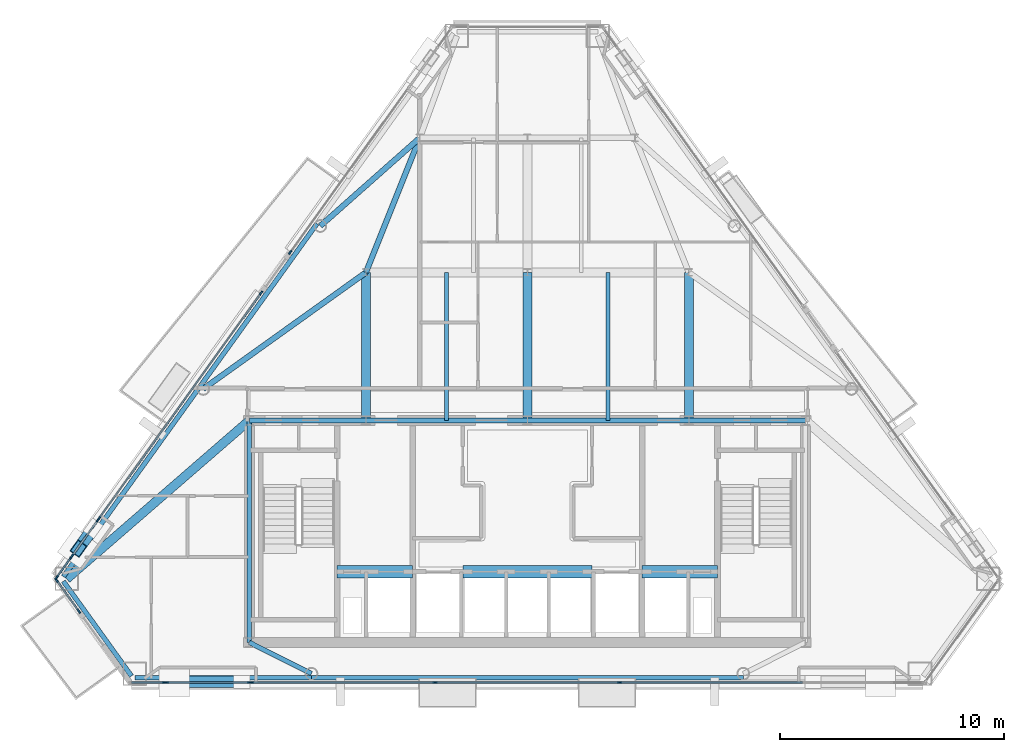
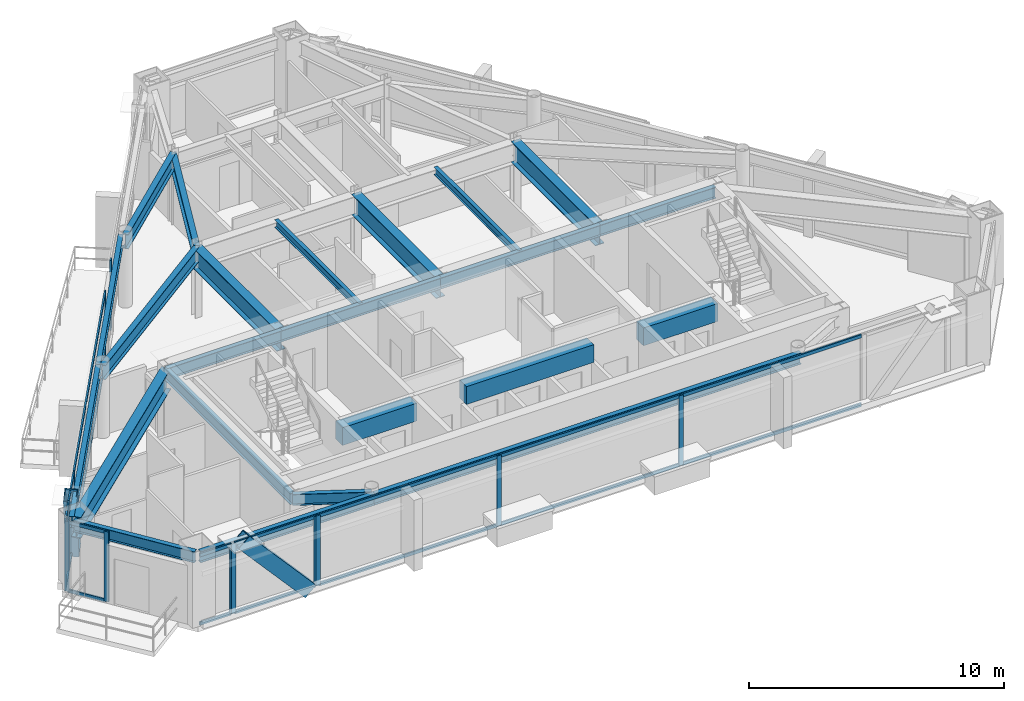
# One storey, part 3 of 11: 35 members, 23 beams, 8 elements without a shape of their own.
"""IFC4 building model written with IfcOpenShell, lengths in metres."""

import ifcopenshell
import ifcopenshell.guid

model = None  # the IFC model being written
_history = None  # IfcOwnerHistory: only IFC2X3 demands one
_inside = {}  # id of a spatial element -> (the spatial element, [elements in it])
_under = {}  # id of a project, library or spatial element -> (it, [spatial elements below it])
_declared = {}  # id of a project -> (the project, [libraries it declares])
_typed = {}  # id of a type object -> (the type object, [elements of that type])
_made_of = {}  # id of a material, layer set ... -> (it, [elements and type objects made of it])


def new_model(schema):
    """Start an empty IFC model of exactly this schema.

    Asked for "IFC4X3", IfcOpenShell would pick the latest addendum, in which some entities
    have other attributes; the version numbers below select the first issue.
    IFC2X3 requires an IfcOwnerHistory on every rooted entity: one is made here for all.
    """
    global model, _history
    if schema == "IFC4X3":
        model = ifcopenshell.file(schema_version=(4, 3, 0, 0))
    else:
        model = ifcopenshell.file(schema=schema)
    _inside.clear()
    _under.clear()
    _declared.clear()
    _typed.clear()
    _made_of.clear()
    _history = None
    if model.schema == "IFC2X3":
        org = make("IfcOrganization", Name="unknown")
        user = make(
            "IfcPersonAndOrganization",
            ThePerson=make("IfcPerson", FamilyName="unknown"),
            TheOrganization=org,
        )
        app = make(
            "IfcApplication",
            ApplicationDeveloper=org,
            Version="unknown",
            ApplicationFullName="unknown",
            ApplicationIdentifier="unknown",
        )
        _history = make(
            "IfcOwnerHistory",
            OwningUser=user,
            OwningApplication=app,
            ChangeAction="ADDED",
            CreationDate=0,
        )
    return model


def make(cls, **values):
    """One entity of the class cls with the attributes given. An attribute that is None is left unset."""
    return model.create_entity(
        cls, **{name: value for name, value in values.items() if value is not None}
    )


def rooted(cls, **values):
    """An entity with a GlobalId (a new one), such as an element, a storey or a relation."""
    return make(cls, GlobalId=ifcopenshell.guid.new(), OwnerHistory=_history, **values)


def si_unit(unit_type, name, prefix=None):
    """IfcSIUnit, for example si_unit("LENGTHUNIT", "METRE", prefix="MILLI")."""
    return make("IfcSIUnit", UnitType=unit_type, Prefix=prefix, Name=name)


def assignment(units):
    """IfcUnitAssignment: the units of a project."""
    return None if units is None else make("IfcUnitAssignment", Units=units)


def point(xyz):
    """IfcCartesianPoint."""
    return None if xyz is None else make("IfcCartesianPoint", Coordinates=xyz)


def direction(xyz):
    """IfcDirection."""
    return None if xyz is None else make("IfcDirection", DirectionRatios=xyz)


def frame(location, z_axis=None, x_axis=None):
    """IfcAxis2Placement3D, a coordinate frame: its origin and axes. An axis left out is left unset."""
    return make(
        "IfcAxis2Placement3D",
        Location=point(location),
        Axis=direction(z_axis),
        RefDirection=direction(x_axis),
    )


def frame_2d(location, x_axis=None):
    """IfcAxis2Placement2D, a coordinate frame in the plane: its origin and x axis."""
    return make(
        "IfcAxis2Placement2D", Location=point(location), RefDirection=direction(x_axis)
    )


def origin():
    """The frame at (0, 0, 0) with its axes left unset."""
    return frame((0.0, 0.0, 0.0))


def origin_2d():
    """The frame at (0, 0) in the plane with its x axis left unset."""
    return frame_2d((0.0, 0.0))


def place(relative_to, where):
    """IfcLocalPlacement: puts the frame where relative to a parent placement (None: the world)."""
    return make(
        "IfcLocalPlacement", PlacementRelTo=relative_to, RelativePlacement=where
    )


def context(
    kind, dimensions, precision=None, world=None, true_north=None, identifier=None
):
    """IfcGeometricRepresentationContext, for example the 3D "Model" context."""
    return make(
        "IfcGeometricRepresentationContext",
        ContextIdentifier=identifier,
        ContextType=kind,
        CoordinateSpaceDimension=dimensions,
        Precision=precision,
        WorldCoordinateSystem=world,
        TrueNorth=true_north,
    )


def subcontext(parent, identifier, kind, view, scale=None):
    """IfcGeometricRepresentationSubContext, for example "Body" below "Model"."""
    return make(
        "IfcGeometricRepresentationSubContext",
        ContextIdentifier=identifier,
        ContextType=kind,
        ParentContext=parent,
        TargetScale=scale,
        TargetView=view,
    )


def project(units=None, contexts=None):
    """IfcProject with its units and contexts."""
    return rooted(
        "IfcProject",
        Name="project",
        RepresentationContexts=contexts,
        UnitsInContext=assignment(units),
    )


def spatial(cls, under=None, at=None, **own):
    """A site, building, storey or space (cls), placed at a placement, below another one or the project."""
    s = rooted(cls, ObjectPlacement=at, **own)
    if under is not None:
        _under.setdefault(under.id(), (under, []))[1].append(s)
    return s


def profile(cls, at=None, kind="AREA", **sizes):
    """A parametric profile (cls). Its sizes go by their IFC names, for example OverallWidth=200.0."""
    return make(cls, ProfileType=kind, Position=at, **sizes)


def rectangle(**sizes):
    """IfcRectangleProfileDef."""
    return profile("IfcRectangleProfileDef", **sizes)


def hollow_rectangle(**sizes):
    """IfcRectangleHollowProfileDef."""
    return profile("IfcRectangleHollowProfileDef", **sizes)


def i_section(**sizes):
    """IfcIShapeProfileDef."""
    return profile("IfcIShapeProfileDef", **sizes)


def extrude(swept, where, along, depth):
    """IfcExtrudedAreaSolid: the profile swept, set in the frame where, extruded along a direction by depth."""
    return make(
        "IfcExtrudedAreaSolid",
        SweptArea=swept,
        Position=where,
        ExtrudedDirection=direction(along),
        Depth=depth,
    )


def shape(context_of_items, identifier, shape_type, items):
    """IfcShapeRepresentation: the items that make up one representation, for example the "Body"."""
    return make(
        "IfcShapeRepresentation",
        ContextOfItems=context_of_items,
        RepresentationIdentifier=identifier,
        RepresentationType=shape_type,
        Items=items,
    )


def material(Name=None, Category=None):
    """IfcMaterial."""
    return make("IfcMaterial", Name=Name, Category=Category)


def layer(
    of_material, thickness, ventilated=None, Name=None, Category=None, Priority=None
):
    """IfcMaterialLayer: one layer of a wall or slab, of a material (None: an air gap)."""
    return make(
        "IfcMaterialLayer",
        Material=of_material,
        LayerThickness=thickness,
        IsVentilated=ventilated,
        Name=Name,
        Category=Category,
        Priority=Priority,
    )


def layer_set(layers, Name=None):
    """IfcMaterialLayerSet."""
    return make("IfcMaterialLayerSet", MaterialLayers=layers, LayerSetName=Name)


def material_profile(
    of_material, cross_section, Name=None, Category=None, Priority=None
):
    """IfcMaterialProfile: a cross section and its material."""
    return make(
        "IfcMaterialProfile",
        Name=Name,
        Material=of_material,
        Profile=cross_section,
        Priority=Priority,
        Category=Category,
    )


def profile_set(profiles, Name=None, composite=None):
    """IfcMaterialProfileSet."""
    return make(
        "IfcMaterialProfileSet",
        Name=Name,
        MaterialProfiles=profiles,
        CompositeProfile=composite,
    )


def made_of(thing, what):
    """Note that an element or type object is made of a material, layer set ...; save() writes the relation."""
    if what is not None:
        _made_of.setdefault(what.id(), (what, []))[1].append(thing)
    return thing


def type_object(cls, material=None, **own):
    """A type object (cls), such as IfcWallType, which elements share."""
    return made_of(rooted(cls, **own), material)


def element(
    cls,
    number,
    at=None,
    inside=None,
    cuts=None,
    type_object=None,
    material=None,
    context=None,
    identifier="Body",
    shape_type=None,
    held_by="IfcProductDefinitionShape",
    body=None,
    shapes=None,
    **own,
):
    """One element of the class cls, such as IfcWall. Its Tag is "e" and its number.

    at: its placement. inside: the storey or other place that contains it. cuts: it is an
    opening in that element (IfcRelVoidsElement). A single representation is given by context,
    identifier, shape_type and body (its items); several are given by shapes. held_by: the class
    of the entity that holds the representations. save() writes the other relations.
    """
    e = rooted(cls, Tag="e%d" % number, ObjectPlacement=at, **own)
    if body is not None:
        shapes = [shape(context, identifier, shape_type, body)]
    if shapes is not None:
        e.Representation = make(held_by, Representations=shapes)
    if inside is not None:
        _inside.setdefault(inside.id(), (inside, []))[1].append(e)
    if cuts is not None:
        rooted(
            "IfcRelVoidsElement", RelatingBuildingElement=cuts, RelatedOpeningElement=e
        )
    if type_object is not None:
        _typed.setdefault(type_object.id(), (type_object, []))[1].append(e)
    return made_of(e, material)


def aggregate(whole, parts):
    """IfcRelAggregates: a whole, such as a stair, and the parts it consists of."""
    return rooted("IfcRelAggregates", RelatingObject=whole, RelatedObjects=parts)


def save(model, path):
    """Write the relations noted so far, then the file.

    IfcRelAggregates (storeys below a building ...), IfcRelContainedInSpatialStructure (elements
    in a storey), IfcRelDefinesByType, IfcRelAssociatesMaterial and IfcRelDeclares: one each for
    every whole, place, type object, material and project.
    """
    for whole, parts in _under.values():
        aggregate(whole, parts)
    for where, things in _inside.values():
        rooted(
            "IfcRelContainedInSpatialStructure",
            RelatedElements=things,
            RelatingStructure=where,
        )
    for kind, things in _typed.values():
        rooted("IfcRelDefinesByType", RelatedObjects=things, RelatingType=kind)
    for what, things in _made_of.values():
        rooted("IfcRelAssociatesMaterial", RelatedObjects=things, RelatingMaterial=what)
    for by, libraries in _declared.values():
        rooted("IfcRelDeclares", RelatingContext=by, RelatedDefinitions=libraries)
    model.write(path)


model = new_model("IFC4")

# Units and contexts
model_context = context("Model", 3, precision=1e-05, world=origin(), true_north=direction((0.0, 1.0)))
body_context = subcontext(model_context, "Body", "Model", "MODEL_VIEW")
ifc_project = project(units=[si_unit("LENGTHUNIT", "METRE"), si_unit("AREAUNIT", "SQUARE_METRE"), si_unit("VOLUMEUNIT", "CUBIC_METRE"), si_unit("PLANEANGLEUNIT", "RADIAN"), si_unit("MASSUNIT", "GRAM", prefix="KILO")], contexts=[model_context])

# Site, building, storey
site_placement = place(None, origin())
site = spatial("IfcSite", under=ifc_project, at=site_placement, CompositionType="ELEMENT")
building_placement = place(site_placement, origin())
building = spatial("IfcBuilding", under=site, at=building_placement, Name="Talgorran Terracotta Tower", CompositionType="ELEMENT")
storey_placement = place(building_placement, frame((0.0, 0.0, 203.699951171875)))
storey = spatial("IfcBuildingStorey", under=building, at=storey_placement, Name="L53", CompositionType="ELEMENT", Elevation=203.699951171875)

# Beams
ifc_material_1 = material(Name="Steel Grade 350 (350L0)", Category="steel")
ifc_material_profile_1 = material_profile(ifc_material_1, i_section(OverallWidth=0.39990234375, OverallDepth=1.0, WebThickness=0.01611328125, FlangeThickness=0.031005859375, at=origin_2d()), Name="1000WB296")
ifc_profile_set_1 = profile_set([ifc_material_profile_1], Name="Steel Grade 350 (350L0)")
beam_type_1 = type_object("IfcBeamType", Name="BM_1000WB296", PredefinedType="BEAM", material=ifc_profile_set_1)
for number, where, z_axis, x_axis, name in (
    (1, (-7.199951171875, -4.199951171875, 2.844970703125), (0.0, 1.0, 0.0), (-1.0, 0.0, 0.0), "L53 Floor Girder G01"),
    (2, (0.0, -4.199951171875, 2.844970703125), (0.0, 1.0, 0.0), (-1.0, 0.0, 0.0), "L53 Floor Girder G02"),
    (3, (7.199951171875, -4.199951171875, 2.844970703125), (0.0, 1.0, 0.0), (-1.0, 0.0, 0.0), "L53 Floor Girder G03"),
):
    element("IfcBeam", number, at=place(storey_placement, frame(where, z_axis=z_axis, x_axis=x_axis)), inside=storey, type_object=beam_type_1, Name=name, PredefinedType="BEAM", context=body_context, shape_type="SweptSolid", body=[
        extrude(i_section(OverallWidth=0.39990234375, OverallDepth=1.0, WebThickness=0.01611328125, FlangeThickness=0.031005859375, at=origin_2d()), origin(), (0.0, 0.0, 1.0), 6.599853515625),
    ])
beam_1_placement = place(storey_placement, frame((-12.39990234375, -4.199951171875, 2.844970703125), z_axis=(-0.755340259283, -0.655332810644, 0.0), x_axis=(0.655332810644, -0.755340259283, 0.0)))
element("IfcBeam", 4, at=beam_1_placement, inside=storey, type_object=beam_type_1, Name="L53 Floor Girder G17", PredefinedType="BEAM", context=body_context, shape_type="SweptSolid", body=[
    extrude(i_section(OverallWidth=0.39990234375, OverallDepth=1.0, WebThickness=0.01611328125, FlangeThickness=0.031005859375, at=origin_2d()), origin(), (0.0, 0.0, 1.0), 10.787841796875),
])
ifc_material_2 = material(Name="Steel S355 (300PLUS)", Category="steel")
ifc_material_profile_2 = material_profile(ifc_material_2, i_section(OverallWidth=0.25, OverallDepth=0.699951171875, WebThickness=0.011962890625, FlangeThickness=0.02392578125, at=origin_2d()), Name="700WB150")
ifc_profile_set_2 = profile_set([ifc_material_profile_2], Name="Steel S355 (300PLUS)")
beam_type_2 = type_object("IfcBeamType", Name="BM_700WB150", PredefinedType="BEAM", material=ifc_profile_set_2)
beam_2_placement = place(storey_placement, frame((-7.199951171875, 2.39990234375, 2.9951171875), z_axis=(-0.813243309998, -0.581923808366, 0.0), x_axis=(0.581923808366, -0.813243309998, 0.0)))
element("IfcBeam", 5, at=beam_2_placement, inside=storey, type_object=beam_type_2, Name="L53 Floor Girder G06", PredefinedType="BEAM", context=body_context, shape_type="SweptSolid", body=[
    extrude(i_section(OverallWidth=0.25, OverallDepth=0.699951171875, WebThickness=0.011962890625, FlangeThickness=0.02392578125, at=origin_2d()), origin(), (0.0, 0.0, 1.0), 8.923583984375),
])
beam_3_placement = place(storey_placement, frame((-7.199951171875, 2.39990234375, 2.9951171875), z_axis=(0.371377648723, 0.928481901832, 0.0), x_axis=(-0.928481901832, 0.371377648723, 0.0)))
element("IfcBeam", 6, at=beam_3_placement, inside=storey, type_object=beam_type_2, Name="L53 Floor Girder G08", PredefinedType="BEAM", context=body_context, shape_type="SweptSolid", body=[
    extrude(i_section(OverallWidth=0.25, OverallDepth=0.699951171875, WebThickness=0.011962890625, FlangeThickness=0.02392578125, at=origin_2d()), origin(), (0.0, 0.0, 1.0), 6.462158203125),
])
beam_4_placement = place(storey_placement, frame((-4.800048828125, 8.39990234375, 2.9951171875), z_axis=(-0.748742442486, -0.662861037338, 0.0), x_axis=(0.662861037338, -0.748742442486, 0.0)))
element("IfcBeam", 7, at=beam_4_placement, inside=storey, type_object=beam_type_2, Name="L53 Floor Girder G13", PredefinedType="BEAM", context=body_context, shape_type="SweptSolid", body=[
    extrude(i_section(OverallWidth=0.25, OverallDepth=0.699951171875, WebThickness=0.011962890625, FlangeThickness=0.02392578125, at=origin_2d()), origin(), (0.0, 0.0, 1.0), 5.92431640625),
])
ifc_material_3 = material(Name="Concrete C50/60", Category="concrete")
ifc_material_profile_3 = material_profile(ifc_material_3, rectangle(XDim=0.550048828125, YDim=0.85009765625, at=origin_2d()), Name="RCCB550X850")
ifc_profile_set_3 = profile_set([ifc_material_profile_3], Name="Concrete C50/60")
beam_type_3 = type_object("IfcBeamType", Name="BM_CB_550X850", PredefinedType="LINTEL", material=ifc_profile_set_3)
beam_5_placement = place(storey_placement, frame((-8.47998046875, -10.949951171875, 2.920166015625), z_axis=(1.0, 0.0, 0.0), x_axis=(0.0, 1.0, 0.0)))
element("IfcBeam", 8, at=beam_5_placement, inside=storey, type_object=beam_type_3, Name="L53 Core Shear-Wall Coupling Beam CB1", PredefinedType="LINTEL", context=body_context, shape_type="SweptSolid", body=[
    extrude(rectangle(XDim=0.550048828125, YDim=0.85009765625, at=origin_2d()), origin(), (0.0, 0.0, 1.0), 3.35986328125),
])
beam_6_placement = place(storey_placement, frame((-2.8798828125, -10.949951171875, 2.920166015625), z_axis=(1.0, 0.0, 0.0), x_axis=(0.0, 1.0, 0.0)))
element("IfcBeam", 9, at=beam_6_placement, inside=storey, type_object=beam_type_3, Name="L53 Core Shear-Wall Coupling Beam CB2", PredefinedType="LINTEL", context=body_context, shape_type="SweptSolid", body=[
    extrude(rectangle(XDim=0.550048828125, YDim=0.85009765625, at=origin_2d()), origin(), (0.0, 0.0, 1.0), 5.759765625),
])
beam_7_placement = place(storey_placement, frame((5.1201171875, -10.949951171875, 2.920166015625), z_axis=(1.0, 0.0, 0.0), x_axis=(0.0, 1.0, 0.0)))
element("IfcBeam", 10, at=beam_7_placement, inside=storey, type_object=beam_type_3, Name="L53 Core Shear-Wall Coupling Beam CB3", PredefinedType="LINTEL", context=body_context, shape_type="SweptSolid", body=[
    extrude(rectangle(XDim=0.550048828125, YDim=0.85009765625, at=origin_2d()), origin(), (0.0, 0.0, 1.0), 3.35986328125),
])
ifc_material_profile_4 = material_profile(ifc_material_2, i_section(OverallWidth=0.17138671875, OverallDepth=0.355712890625, WebThickness=0.00732421875, FlangeThickness=0.011474609375, at=origin_2d()), Name="360UB50.7")
ifc_profile_set_4 = profile_set([ifc_material_profile_4], Name="Steel S355 (300PLUS)")
beam_type_4 = type_object("IfcBeamType", Name="BM_JS_360UB51", PredefinedType="JOIST", material=ifc_profile_set_4)
for number, where, z_axis, x_axis, name in (
    (11, (-3.60009765625, -4.199951171875, 3.167236328125), (0.0, 1.0, 0.0), (-1.0, 0.0, 0.0), "L53 Secondary Joist J01"),
    (12, (3.60009765625, -4.199951171875, 3.167236328125), (0.0, 1.0, 0.0), (-1.0, 0.0, 0.0), "L53 Secondary Joist J02"),
):
    element("IfcBeam", number, at=place(storey_placement, frame(where, z_axis=z_axis, x_axis=x_axis)), inside=storey, type_object=beam_type_4, Name=name, PredefinedType="JOIST", context=body_context, shape_type="SweptSolid", body=[
        extrude(i_section(OverallWidth=0.17138671875, OverallDepth=0.355712890625, WebThickness=0.00732421875, FlangeThickness=0.011474609375, at=origin_2d()), origin(), (0.0, 0.0, 1.0), 6.599853515625),
    ])
ifc_material_profile_5 = material_profile(ifc_material_2, i_section(OverallWidth=0.209228515625, OverallDepth=0.532958984375, WebThickness=0.01025390625, FlangeThickness=0.015625, at=origin_2d()), Name="530UB92.4")
ifc_profile_set_5 = profile_set([ifc_material_profile_5], Name="Steel S355 (300PLUS)")
beam_type_5 = type_object("IfcBeamType", Name="BM_SP_530UB92", PredefinedType="SPANDREL", material=ifc_profile_set_5)
beam_8_placement = place(storey_placement, frame((-20.694580078125, -11.37451171875, 3.07861328125), z_axis=(0.58353843734, -0.812085520217, 0.0), x_axis=(0.812085520217, 0.58353843734, 0.0)))
element("IfcBeam", 13, at=beam_8_placement, inside=storey, type_object=beam_type_5, Name="L53 Perimeter Spandrel Beam MC1-MC2", PredefinedType="SPANDREL", context=body_context, shape_type="SweptSolid", body=[
    extrude(i_section(OverallWidth=0.209228515625, OverallDepth=0.532958984375, WebThickness=0.01025390625, FlangeThickness=0.015625, at=origin_2d()), origin(), (0.0, 0.0, 1.0), 5.20556640625),
])
beam_9_placement = place(storey_placement, frame((-17.5107421875, -15.6767578125, 3.07861328125), z_axis=(1.0, 0.0, 0.0), x_axis=(0.0, 1.0, 0.0)))
element("IfcBeam", 14, at=beam_9_placement, inside=storey, type_object=beam_type_5, Name="L53 Perimeter Spandrel Beam MC2-FC1", PredefinedType="SPANDREL", context=body_context, shape_type="SweptSolid", body=[
    extrude(i_section(OverallWidth=0.209228515625, OverallDepth=0.532958984375, WebThickness=0.01025390625, FlangeThickness=0.015625, at=origin_2d()), origin(), (0.0, 0.0, 1.0), 7.8798828125),
])
beam_10_placement = place(storey_placement, frame((-9.630859375, -15.6767578125, 3.07861328125), z_axis=(1.0, 0.0, 0.0), x_axis=(0.0, 1.0, 0.0)))
element("IfcBeam", 15, at=beam_10_placement, inside=storey, type_object=beam_type_5, Name="L53 Perimeter Spandrel Beam FC1-FC2", PredefinedType="SPANDREL", context=body_context, shape_type="SweptSolid", body=[
    extrude(i_section(OverallWidth=0.209228515625, OverallDepth=0.532958984375, WebThickness=0.01025390625, FlangeThickness=0.015625, at=origin_2d()), origin(), (0.0, 0.0, 1.0), 19.26171875),
])
beam_11_placement = place(storey_placement, frame((-9.382080078125, 4.577880859375, 3.07861328125), z_axis=(-0.583551145521, -0.812076388378, 0.0), x_axis=(0.812076388378, -0.583551145521, 0.0)))
element("IfcBeam", 16, at=beam_11_placement, inside=storey, type_object=beam_type_5, Name="L53 Perimeter Spandrel Beam FC5-FC6", PredefinedType="SPANDREL", context=body_context, shape_type="SweptSolid", body=[
    extrude(i_section(OverallWidth=0.209228515625, OverallDepth=0.532958984375, WebThickness=0.01025390625, FlangeThickness=0.015625, at=origin_2d()), origin(), (0.0, 0.0, 1.0), 8.947265625),
])
beam_12_placement = place(storey_placement, frame((-14.603271484375, -2.68798828125, 3.07861328125), z_axis=(-0.58355893517, -0.812070790746, 0.0), x_axis=(0.812070790746, -0.58355893517, 0.0)))
element("IfcBeam", 17, at=beam_12_placement, inside=storey, type_object=beam_type_5, Name="L53 Perimeter Spandrel Beam FC6-MC1", PredefinedType="SPANDREL", context=body_context, shape_type="SweptSolid", body=[
    extrude(i_section(OverallWidth=0.209228515625, OverallDepth=0.532958984375, WebThickness=0.01025390625, FlangeThickness=0.015625, at=origin_2d()), origin(), (0.0, 0.0, 1.0), 10.438232421875),
])
beam_13_placement = place(storey_placement, frame((-9.630859375, -15.49658203125, 3.07861328125), z_axis=(-0.892878892076, 0.450296884383, 0.0), x_axis=(-0.450296884383, -0.892878892076, 0.0)))
element("IfcBeam", 18, at=beam_13_placement, inside=storey, type_object=beam_type_5, Name="L53 South-West Core Tie Beam", PredefinedType="SPANDREL", context=body_context, shape_type="SweptSolid", body=[
    extrude(i_section(OverallWidth=0.209228515625, OverallDepth=0.532958984375, WebThickness=0.01025390625, FlangeThickness=0.015625, at=origin_2d()), origin(), (0.0, 0.0, 1.0), 3.101318359375),
])
beam_14_placement = place(storey_placement, frame((-12.39990234375, -14.10009765625, 3.07861328125), z_axis=(0.0, 1.0, 0.0), x_axis=(-1.0, 0.0, 0.0)))
element("IfcBeam", 19, at=beam_14_placement, inside=storey, type_object=beam_type_5, Name="L53 Core Frame Beam CFW", PredefinedType="SPANDREL", context=body_context, shape_type="SweptSolid", body=[
    extrude(i_section(OverallWidth=0.209228515625, OverallDepth=0.532958984375, WebThickness=0.01025390625, FlangeThickness=0.015625, at=origin_2d()), origin(), (0.0, 0.0, 1.0), 9.900146484375),
])
beam_15_placement = place(storey_placement, frame((-12.39990234375, -4.199951171875, 3.07861328125), z_axis=(1.0, 0.0, 0.0), x_axis=(0.0, 1.0, 0.0)))
element("IfcBeam", 20, at=beam_15_placement, inside=storey, type_object=beam_type_5, Name="L53 Core Frame Beam CFN1", PredefinedType="SPANDREL", context=body_context, shape_type="SweptSolid", body=[
    extrude(i_section(OverallWidth=0.209228515625, OverallDepth=0.532958984375, WebThickness=0.01025390625, FlangeThickness=0.015625, at=origin_2d()), origin(), (0.0, 0.0, 1.0), 5.199951171875),
])
for number, where, z_axis, x_axis, name in (
    (21, (-7.199951171875, -4.199951171875, 3.07861328125), (1.0, 0.0, 0.0), (0.0, 1.0, 0.0), "L53 Core Frame Beam CFN2"),
    (22, (0.0, -4.199951171875, 3.07861328125), (1.0, 0.0, 0.0), (0.0, 1.0, 0.0), "L53 Core Frame Beam CFN3"),
):
    element("IfcBeam", number, at=place(storey_placement, frame(where, z_axis=z_axis, x_axis=x_axis)), inside=storey, type_object=beam_type_5, Name=name, PredefinedType="SPANDREL", context=body_context, shape_type="SweptSolid", body=[
        extrude(i_section(OverallWidth=0.209228515625, OverallDepth=0.532958984375, WebThickness=0.01025390625, FlangeThickness=0.015625, at=origin_2d()), origin(), (0.0, 0.0, 1.0), 7.199951171875),
    ])
beam_16_placement = place(storey_placement, frame((7.199951171875, -4.199951171875, 3.07861328125), z_axis=(1.0, 0.0, 0.0), x_axis=(0.0, 1.0, 0.0)))
element("IfcBeam", 23, at=beam_16_placement, inside=storey, type_object=beam_type_5, Name="L53 Core Frame Beam CFN4", PredefinedType="SPANDREL", context=body_context, shape_type="SweptSolid", body=[
    extrude(i_section(OverallWidth=0.209228515625, OverallDepth=0.532958984375, WebThickness=0.01025390625, FlangeThickness=0.015625, at=origin_2d()), origin(), (0.0, 0.0, 1.0), 5.199951171875),
])

# Members
ifc_material_profile_6 = material_profile(ifc_material_1, hollow_rectangle(XDim=0.52001953125, YDim=0.659912109375, WallThickness=0.034912109375, at=origin_2d()), Name="WBOX660X520X35")
ifc_profile_set_6 = profile_set([ifc_material_profile_6], Name="Steel Grade 350 (350L0)")
member_type_1 = type_object("IfcMemberType", Name="MB_MEGA_660", PredefinedType="BRACE", material=ifc_profile_set_6)
member_1_placement = place(storey_placement, frame((-12.740478515625, -15.856689453125, -0.02490234375), z_axis=(-0.663193790905, 0.0, 0.748447724097), x_axis=(0.0, -1.0, 0.0)))
element("IfcMember", 24, at=member_1_placement, inside=storey, type_object=member_type_1, Name="L53 Exterior Face Mega-Brace MB-3 (SWF)", PredefinedType="BRACE", context=body_context, shape_type="SweptSolid", body=[
    extrude(hollow_rectangle(XDim=0.52001953125, YDim=0.659912109375, WallThickness=0.034912109375, at=origin_2d()), origin(), (0.0, 0.0, 1.0), 4.5361328125),
])
member_2_placement = place(storey_placement, frame((-19.36669921875, -9.00830078125, -0.02490234375), z_axis=(-0.182817156925, -0.254386966584, 0.949665814045), x_axis=(0.812050884366, -0.583586635557, 0.0)))
element("IfcMember", 25, at=member_2_placement, inside=storey, type_object=member_type_1, Name="L53 Exterior Face Mega-Brace MB-3 (NWL)", PredefinedType="BRACE", context=body_context, shape_type="SweptSolid", body=[
    extrude(hollow_rectangle(XDim=0.52001953125, YDim=0.659912109375, WallThickness=0.034912109375, at=origin_2d()), origin(), (0.0, 0.0, 1.0), 3.574951171875),
])

# Curtain wall, members
ifc_material_4 = material(Name="High-Wind Unitised Glazing", Category="glass")
ifc_layer = layer(ifc_material_4, 0.2099609375, Name="CW_SYS3_RES_HIGH")
ifc_layer_set = layer_set([ifc_layer], Name="High-Wind Unitised Glazing")
curtain_wall_type = type_object("IfcCurtainWallType", Name="CW_SYS3_RES_HIGH", PredefinedType="NOTDEFINED", material=ifc_layer_set)
curtain_wall_1_placement = place(storey_placement, origin())
curtain_wall_1 = element("IfcCurtainWall", 26, at=curtain_wall_1_placement, inside=storey, type_object=curtain_wall_type, Name="CW-L53-F10", PredefinedType="NOTDEFINED")
ifc_material_5 = material(Name="Architectural Aluminium 6063-T6", Category="aluminium")
ifc_material_profile_7 = material_profile(ifc_material_5, rectangle(XDim=0.070068359375, YDim=0.199951171875, at=origin_2d()), Name="CWM70X200")
ifc_profile_set_7 = profile_set([ifc_material_profile_7], Name="Architectural Aluminium 6063-T6")
member_type_2 = type_object("IfcMemberType", Name="MUL_70X200", PredefinedType="MULLION", material=ifc_profile_set_7)
member_3_placement = place(storey_placement, frame((-20.9970703125, -11.33056640625, 0.0), z_axis=(0.0, 0.0, 1.0), x_axis=(0.812077950336, 0.583548971876, 0.0)))
member_3 = element("IfcMember", 27, at=member_3_placement, type_object=member_type_2, Name="CW-L53-10 mullion 1", PredefinedType="MULLION", context=body_context, shape_type="SweptSolid", body=[
    extrude(rectangle(XDim=0.070068359375, YDim=0.199951171875, at=origin_2d()), origin(), (0.0, 0.0, 1.0), 3.344970703125),
])
member_4_placement = place(storey_placement, frame((-20.00244140625, -12.715087890625, 0.0), z_axis=(0.0, 0.0, 1.0), x_axis=(0.812077950336, 0.583548971876, 0.0)))
member_4 = element("IfcMember", 28, at=member_4_placement, type_object=member_type_2, Name="CW-L53-10 mullion 2", PredefinedType="MULLION", context=body_context, shape_type="SweptSolid", body=[
    extrude(rectangle(XDim=0.070068359375, YDim=0.199951171875, at=origin_2d()), origin(), (0.0, 0.0, 1.0), 3.344970703125),
])

# Curtain wall, member
curtain_wall_2_placement = place(storey_placement, origin())
curtain_wall_2 = element("IfcCurtainWall", 29, at=curtain_wall_2_placement, inside=storey, type_object=curtain_wall_type, Name="CW-L53-F1", PredefinedType="NOTDEFINED")
member_5_placement = place(storey_placement, frame((-16.185791015625, -15.896728515625, 0.0), z_axis=(0.0, 0.0, 1.0), x_axis=(0.0, 1.0, 0.0)))
member_5 = element("IfcMember", 30, at=member_5_placement, type_object=member_type_2, Name="CW-L53-1 mullion 2", PredefinedType="MULLION", context=body_context, shape_type="SweptSolid", body=[
    extrude(rectangle(XDim=0.070068359375, YDim=0.199951171875, at=origin_2d()), origin(), (0.0, 0.0, 1.0), 3.344970703125),
])

# Curtain wall, members
curtain_wall_3_placement = place(storey_placement, origin())
curtain_wall_3 = element("IfcCurtainWall", 31, at=curtain_wall_3_placement, inside=storey, type_object=curtain_wall_type, Name="CW-L53-F1B", PredefinedType="NOTDEFINED")
member_6_placement = place(storey_placement, frame((-16.105712890625, -15.896728515625, 0.0), z_axis=(0.0, 0.0, 1.0), x_axis=(0.0, 1.0, 0.0)))
member_6 = element("IfcMember", 32, at=member_6_placement, type_object=member_type_2, Name="CW-L53-1B mullion 1", PredefinedType="MULLION", context=body_context, shape_type="SweptSolid", body=[
    extrude(rectangle(XDim=0.070068359375, YDim=0.199951171875, at=origin_2d()), origin(), (0.0, 0.0, 1.0), 3.344970703125),
])
member_7_placement = place(storey_placement, frame((-12.383544921875, -15.896728515625, 0.0), z_axis=(0.0, 0.0, 1.0), x_axis=(0.0, 1.0, 0.0)))
member_7 = element("IfcMember", 33, at=member_7_placement, type_object=member_type_2, Name="CW-L53-1B mullion 2", PredefinedType="MULLION", context=body_context, shape_type="SweptSolid", body=[
    extrude(rectangle(XDim=0.070068359375, YDim=0.199951171875, at=origin_2d()), origin(), (0.0, 0.0, 1.0), 3.344970703125),
])

curtain_wall_4_placement = place(storey_placement, origin())
curtain_wall_4 = element("IfcCurtainWall", 34, at=curtain_wall_4_placement, inside=storey, type_object=curtain_wall_type, Name="CW-L53-F1C", PredefinedType="NOTDEFINED")
member_8_placement = place(storey_placement, frame((-12.3037109375, -15.896728515625, 0.0), z_axis=(0.0, 0.0, 1.0), x_axis=(0.0, 1.0, 0.0)))
member_8 = element("IfcMember", 35, at=member_8_placement, type_object=member_type_2, Name="CW-L53-1C mullion 1", PredefinedType="MULLION", context=body_context, shape_type="SweptSolid", body=[
    extrude(rectangle(XDim=0.070068359375, YDim=0.199951171875, at=origin_2d()), origin(), (0.0, 0.0, 1.0), 3.344970703125),
])
member_9_placement = place(storey_placement, frame((-4.11279296875, -15.896728515625, 0.0), z_axis=(0.0, 0.0, 1.0), x_axis=(0.0, 1.0, 0.0)))
member_9 = element("IfcMember", 36, at=member_9_placement, type_object=member_type_2, Name="CW-L53-1C mullion 2", PredefinedType="MULLION", context=body_context, shape_type="SweptSolid", body=[
    extrude(rectangle(XDim=0.070068359375, YDim=0.199951171875, at=origin_2d()), origin(), (0.0, 0.0, 1.0), 3.344970703125),
])
member_10_placement = place(storey_placement, frame((4.11279296875, -15.896728515625, 0.0), z_axis=(0.0, 0.0, 1.0), x_axis=(0.0, 1.0, 0.0)))
member_10 = element("IfcMember", 37, at=member_10_placement, type_object=member_type_2, Name="CW-L53-1C mullion 3", PredefinedType="MULLION", context=body_context, shape_type="SweptSolid", body=[
    extrude(rectangle(XDim=0.070068359375, YDim=0.199951171875, at=origin_2d()), origin(), (0.0, 0.0, 1.0), 3.344970703125),
])

# Curtain wall, member
curtain_wall_5_placement = place(storey_placement, origin())
curtain_wall_5 = element("IfcCurtainWall", 38, at=curtain_wall_5_placement, inside=storey, type_object=curtain_wall_type, Name="CW-L53-F60C", PredefinedType="NOTDEFINED")
member_11_placement = place(storey_placement, frame((-10.57470703125, 3.29541015625, 0.0), z_axis=(0.0, 0.0, 1.0), x_axis=(0.81207174023, -0.583557613882, 0.0)))
member_11 = element("IfcMember", 39, at=member_11_placement, type_object=member_type_2, Name="CW-L53-60C mullion 2", PredefinedType="MULLION", context=body_context, shape_type="SweptSolid", body=[
    extrude(rectangle(XDim=0.070068359375, YDim=0.199951171875, at=origin_2d()), origin(), (0.0, 0.0, 1.0), 3.344970703125),
])
aggregate(curtain_wall_5, [member_11])

# Curtain wall, members
curtain_wall_6_placement = place(storey_placement, origin())
curtain_wall_6 = element("IfcCurtainWall", 40, at=curtain_wall_6_placement, inside=storey, type_object=curtain_wall_type, Name="CW-L53-F61", PredefinedType="NOTDEFINED")
member_12_placement = place(storey_placement, frame((-11.8759765625, 1.484375, 0.0), z_axis=(0.0, 0.0, 1.0), x_axis=(0.812075516863, -0.58355235833, 0.0)))
member_12 = element("IfcMember", 41, at=member_12_placement, type_object=member_type_2, Name="CW-L53-61 mullion 1", PredefinedType="MULLION", context=body_context, shape_type="SweptSolid", body=[
    extrude(rectangle(XDim=0.070068359375, YDim=0.199951171875, at=origin_2d()), origin(), (0.0, 0.0, 1.0), 3.344970703125),
])
member_13_placement = place(storey_placement, frame((-19.10546875, -8.576171875, 0.0), z_axis=(0.0, 0.0, 1.0), x_axis=(0.812075516863, -0.58355235833, 0.0)))
member_13 = element("IfcMember", 42, at=member_13_placement, type_object=member_type_2, Name="CW-L53-61 mullion 2", PredefinedType="MULLION", context=body_context, shape_type="SweptSolid", body=[
    extrude(rectangle(XDim=0.070068359375, YDim=0.199951171875, at=origin_2d()), origin(), (0.0, 0.0, 1.0), 3.344970703125),
])

curtain_wall_7_placement = place(storey_placement, origin())
curtain_wall_7 = element("IfcCurtainWall", 43, at=curtain_wall_7_placement, inside=storey, type_object=curtain_wall_type, Name="CW-L53-F61B", PredefinedType="NOTDEFINED")
member_14_placement = place(storey_placement, frame((-19.152099609375, -8.64111328125, 0.0), z_axis=(0.0, 0.0, 1.0), x_axis=(0.812088080036, -0.583534874934, 0.0)))
member_14 = element("IfcMember", 44, at=member_14_placement, type_object=member_type_2, Name="CW-L53-61B mullion 1", PredefinedType="MULLION", context=body_context, shape_type="SweptSolid", body=[
    extrude(rectangle(XDim=0.070068359375, YDim=0.199951171875, at=origin_2d()), origin(), (0.0, 0.0, 1.0), 3.344970703125),
])
member_15_placement = place(storey_placement, frame((-20.2998046875, -10.23828125, 0.0), z_axis=(0.0, 0.0, 1.0), x_axis=(0.812088080036, -0.583534874934, 0.0)))
member_15 = element("IfcMember", 45, at=member_15_placement, type_object=member_type_2, Name="CW-L53-61B mullion 2", PredefinedType="MULLION", context=body_context, shape_type="SweptSolid", body=[
    extrude(rectangle(XDim=0.070068359375, YDim=0.199951171875, at=origin_2d()), origin(), (0.0, 0.0, 1.0), 3.344970703125),
])

curtain_wall_8_placement = place(storey_placement, origin())
curtain_wall_8 = element("IfcCurtainWall", 46, at=curtain_wall_8_placement, inside=storey, type_object=curtain_wall_type, Name="CW-L53-F61C", PredefinedType="NOTDEFINED")
member_16_placement = place(storey_placement, frame((-20.346435546875, -10.30322265625, 0.0), z_axis=(0.0, 0.0, 1.0), x_axis=(0.81207660741, -0.583550840713, 0.0)))
member_16 = element("IfcMember", 47, at=member_16_placement, type_object=member_type_2, Name="CW-L53-61C mullion 1", PredefinedType="MULLION", context=body_context, shape_type="SweptSolid", body=[
    extrude(rectangle(XDim=0.070068359375, YDim=0.199951171875, at=origin_2d()), origin(), (0.0, 0.0, 1.0), 3.344970703125),
])
member_17_placement = place(storey_placement, frame((-20.9970703125, -11.208740234375, 0.0), z_axis=(0.0, 0.0, 1.0), x_axis=(0.81207660741, -0.583550840713, 0.0)))
member_17 = element("IfcMember", 48, at=member_17_placement, type_object=member_type_2, Name="CW-L53-61C mullion 2", PredefinedType="MULLION", context=body_context, shape_type="SweptSolid", body=[
    extrude(rectangle(XDim=0.070068359375, YDim=0.199951171875, at=origin_2d()), origin(), (0.0, 0.0, 1.0), 3.344970703125),
])

# Member
ifc_material_profile_8 = material_profile(ifc_material_5, rectangle(XDim=0.070068359375, YDim=0.159912109375, at=origin_2d()), Name="CWT70X160")
ifc_profile_set_8 = profile_set([ifc_material_profile_8], Name="Architectural Aluminium 6063-T6")
member_type_3 = type_object("IfcMemberType", Name="TRN_70X160", PredefinedType="USERDEFINED", material=ifc_profile_set_8)
member_18_placement = place(storey_placement, frame((-20.976806640625, -11.35888671875, 0.03515625), z_axis=(0.583580661131, -0.8120551779, 0.0), x_axis=(0.8120551779, 0.583580661131, 0.0)))
member_18 = element("IfcMember", 49, at=member_18_placement, type_object=member_type_3, Name="CW-L53-10 transom 1.1", ObjectType="TRANSOM", PredefinedType="USERDEFINED", context=body_context, shape_type="SweptSolid", body=[
    extrude(rectangle(XDim=0.070068359375, YDim=0.159912109375, at=origin_2d()), origin(), (0.0, 0.0, 1.0), 1.635009765625),
])

member_19_placement = place(storey_placement, frame((-20.976806640625, -11.35888671875, 3.31005859375), z_axis=(0.583580661131, -0.8120551779, 0.0), x_axis=(0.8120551779, 0.583580661131, 0.0)))
member_19 = element("IfcMember", 50, at=member_19_placement, type_object=member_type_3, Name="CW-L53-10 transom 1.2", ObjectType="TRANSOM", PredefinedType="USERDEFINED", context=body_context, shape_type="SweptSolid", body=[
    extrude(rectangle(XDim=0.070068359375, YDim=0.159912109375, at=origin_2d()), origin(), (0.0, 0.0, 1.0), 1.635009765625),
])

aggregate(curtain_wall_1, [member_3, member_4, member_18, member_19])

member_20_placement = place(storey_placement, frame((-17.64599609375, -15.896728515625, 0.03515625), z_axis=(1.0, 0.0, 0.0), x_axis=(0.0, 1.0, 0.0)))
member_20 = element("IfcMember", 51, at=member_20_placement, type_object=member_type_3, Name="CW-L53-1 transom 1.1", ObjectType="TRANSOM", PredefinedType="USERDEFINED", context=body_context, shape_type="SweptSolid", body=[
    extrude(rectangle(XDim=0.070068359375, YDim=0.159912109375, at=origin_2d()), origin(), (0.0, 0.0, 1.0), 1.42529296875),
])

member_21_placement = place(storey_placement, frame((-17.64599609375, -15.896728515625, 3.31005859375), z_axis=(1.0, 0.0, 0.0), x_axis=(0.0, 1.0, 0.0)))
member_21 = element("IfcMember", 52, at=member_21_placement, type_object=member_type_3, Name="CW-L53-1 transom 1.2", ObjectType="TRANSOM", PredefinedType="USERDEFINED", context=body_context, shape_type="SweptSolid", body=[
    extrude(rectangle(XDim=0.070068359375, YDim=0.159912109375, at=origin_2d()), origin(), (0.0, 0.0, 1.0), 1.42529296875),
])

aggregate(curtain_wall_2, [member_5, member_20, member_21])

member_22_placement = place(storey_placement, frame((-16.07080078125, -15.896728515625, 0.03515625), z_axis=(1.0, 0.0, 0.0), x_axis=(0.0, 1.0, 0.0)))
member_22 = element("IfcMember", 53, at=member_22_placement, type_object=member_type_3, Name="CW-L53-1B transom 1.1", ObjectType="TRANSOM", PredefinedType="USERDEFINED", context=body_context, shape_type="SweptSolid", body=[
    extrude(rectangle(XDim=0.070068359375, YDim=0.159912109375, at=origin_2d()), origin(), (0.0, 0.0, 1.0), 3.652099609375),
])

member_23_placement = place(storey_placement, frame((-16.07080078125, -15.896728515625, 3.31005859375), z_axis=(1.0, 0.0, 0.0), x_axis=(0.0, 1.0, 0.0)))
member_23 = element("IfcMember", 54, at=member_23_placement, type_object=member_type_3, Name="CW-L53-1B transom 1.2", ObjectType="TRANSOM", PredefinedType="USERDEFINED", context=body_context, shape_type="SweptSolid", body=[
    extrude(rectangle(XDim=0.070068359375, YDim=0.159912109375, at=origin_2d()), origin(), (0.0, 0.0, 1.0), 3.652099609375),
])

aggregate(curtain_wall_3, [member_6, member_7, member_22, member_23])

member_24_placement = place(storey_placement, frame((-12.2685546875, -15.896728515625, 0.03515625), z_axis=(1.0, 0.0, 0.0), x_axis=(0.0, 1.0, 0.0)))
member_24 = element("IfcMember", 55, at=member_24_placement, type_object=member_type_3, Name="CW-L53-1C transom 1.1", ObjectType="TRANSOM", PredefinedType="USERDEFINED", context=body_context, shape_type="SweptSolid", body=[
    extrude(rectangle(XDim=0.070068359375, YDim=0.159912109375, at=origin_2d()), origin(), (0.0, 0.0, 1.0), 8.12060546875),
])

member_25_placement = place(storey_placement, frame((-12.2685546875, -15.896728515625, 3.31005859375), z_axis=(1.0, 0.0, 0.0), x_axis=(0.0, 1.0, 0.0)))
member_25 = element("IfcMember", 56, at=member_25_placement, type_object=member_type_3, Name="CW-L53-1C transom 1.2", ObjectType="TRANSOM", PredefinedType="USERDEFINED", context=body_context, shape_type="SweptSolid", body=[
    extrude(rectangle(XDim=0.070068359375, YDim=0.159912109375, at=origin_2d()), origin(), (0.0, 0.0, 1.0), 8.12060546875),
])

member_26_placement = place(storey_placement, frame((-4.077880859375, -15.896728515625, 0.03515625), z_axis=(1.0, 0.0, 0.0), x_axis=(0.0, 1.0, 0.0)))
member_26 = element("IfcMember", 57, at=member_26_placement, type_object=member_type_3, Name="CW-L53-1C transom 2.1", ObjectType="TRANSOM", PredefinedType="USERDEFINED", context=body_context, shape_type="SweptSolid", body=[
    extrude(rectangle(XDim=0.070068359375, YDim=0.159912109375, at=origin_2d()), origin(), (0.0, 0.0, 1.0), 8.15576171875),
])

member_27_placement = place(storey_placement, frame((-4.077880859375, -15.896728515625, 3.31005859375), z_axis=(1.0, 0.0, 0.0), x_axis=(0.0, 1.0, 0.0)))
member_27 = element("IfcMember", 58, at=member_27_placement, type_object=member_type_3, Name="CW-L53-1C transom 2.2", ObjectType="TRANSOM", PredefinedType="USERDEFINED", context=body_context, shape_type="SweptSolid", body=[
    extrude(rectangle(XDim=0.070068359375, YDim=0.159912109375, at=origin_2d()), origin(), (0.0, 0.0, 1.0), 8.15576171875),
])

member_28_placement = place(storey_placement, frame((4.14794921875, -15.896728515625, 0.03515625), z_axis=(1.0, 0.0, 0.0), x_axis=(0.0, 1.0, 0.0)))
member_28 = element("IfcMember", 59, at=member_28_placement, type_object=member_type_3, Name="CW-L53-1C transom 3.1", ObjectType="TRANSOM", PredefinedType="USERDEFINED", context=body_context, shape_type="SweptSolid", body=[
    extrude(rectangle(XDim=0.070068359375, YDim=0.159912109375, at=origin_2d()), origin(), (0.0, 0.0, 1.0), 8.12060546875),
])

member_29_placement = place(storey_placement, frame((4.14794921875, -15.896728515625, 3.31005859375), z_axis=(1.0, 0.0, 0.0), x_axis=(0.0, 1.0, 0.0)))
member_29 = element("IfcMember", 60, at=member_29_placement, type_object=member_type_3, Name="CW-L53-1C transom 3.2", ObjectType="TRANSOM", PredefinedType="USERDEFINED", context=body_context, shape_type="SweptSolid", body=[
    extrude(rectangle(XDim=0.070068359375, YDim=0.159912109375, at=origin_2d()), origin(), (0.0, 0.0, 1.0), 8.12060546875),
])

aggregate(curtain_wall_4, [member_8, member_9, member_10, member_24, member_25, member_26, member_27, member_28, member_29])

member_30_placement = place(storey_placement, frame((-11.896484375, 1.4560546875, 0.03515625), z_axis=(-0.583538035767, -0.812085808775, 0.0), x_axis=(0.812085808775, -0.583538035767, 0.0)))
member_30 = element("IfcMember", 61, at=member_30_placement, type_object=member_type_3, Name="CW-L53-61 transom 1.1", ObjectType="TRANSOM", PredefinedType="USERDEFINED", context=body_context, shape_type="SweptSolid", body=[
    extrude(rectangle(XDim=0.070068359375, YDim=0.159912109375, at=origin_2d()), origin(), (0.0, 0.0, 1.0), 12.31884765625),
])

member_31_placement = place(storey_placement, frame((-11.896484375, 1.4560546875, 3.31005859375), z_axis=(-0.583538035767, -0.812085808775, 0.0), x_axis=(0.812085808775, -0.583538035767, 0.0)))
member_31 = element("IfcMember", 62, at=member_31_placement, type_object=member_type_3, Name="CW-L53-61 transom 1.2", ObjectType="TRANSOM", PredefinedType="USERDEFINED", context=body_context, shape_type="SweptSolid", body=[
    extrude(rectangle(XDim=0.070068359375, YDim=0.159912109375, at=origin_2d()), origin(), (0.0, 0.0, 1.0), 12.31884765625),
])

aggregate(curtain_wall_6, [member_12, member_13, member_30, member_31])

member_32_placement = place(storey_placement, frame((-19.172607421875, -8.66943359375, 0.03515625), z_axis=(-0.583439776185, -0.812156405852, 0.0), x_axis=(0.812156405852, -0.583439776185, 0.0)))
member_32 = element("IfcMember", 63, at=member_32_placement, type_object=member_type_3, Name="CW-L53-61B transom 1.1", ObjectType="TRANSOM", PredefinedType="USERDEFINED", context=body_context, shape_type="SweptSolid", body=[
    extrude(rectangle(XDim=0.070068359375, YDim=0.159912109375, at=origin_2d()), origin(), (0.0, 0.0, 1.0), 1.896728515625),
])

member_33_placement = place(storey_placement, frame((-19.172607421875, -8.66943359375, 3.31005859375), z_axis=(-0.583439776185, -0.812156405852, 0.0), x_axis=(0.812156405852, -0.583439776185, 0.0)))
member_33 = element("IfcMember", 64, at=member_33_placement, type_object=member_type_3, Name="CW-L53-61B transom 1.2", ObjectType="TRANSOM", PredefinedType="USERDEFINED", context=body_context, shape_type="SweptSolid", body=[
    extrude(rectangle(XDim=0.070068359375, YDim=0.159912109375, at=origin_2d()), origin(), (0.0, 0.0, 1.0), 1.896728515625),
])

aggregate(curtain_wall_7, [member_14, member_15, member_32, member_33])

member_34_placement = place(storey_placement, frame((-20.366943359375, -10.33154296875, 0.03515625), z_axis=(-0.583578281453, -0.812056888042, 0.0), x_axis=(0.812056888042, -0.583578281453, 0.0)))
member_34 = element("IfcMember", 65, at=member_34_placement, type_object=member_type_3, Name="CW-L53-61C transom 1.1", ObjectType="TRANSOM", PredefinedType="USERDEFINED", context=body_context, shape_type="SweptSolid", body=[
    extrude(rectangle(XDim=0.070068359375, YDim=0.159912109375, at=origin_2d()), origin(), (0.0, 0.0, 1.0), 1.044921875),
])

member_35_placement = place(storey_placement, frame((-20.366943359375, -10.33154296875, 3.31005859375), z_axis=(-0.583578281453, -0.812056888042, 0.0), x_axis=(0.812056888042, -0.583578281453, 0.0)))
member_35 = element("IfcMember", 66, at=member_35_placement, type_object=member_type_3, Name="CW-L53-61C transom 1.2", ObjectType="TRANSOM", PredefinedType="USERDEFINED", context=body_context, shape_type="SweptSolid", body=[
    extrude(rectangle(XDim=0.070068359375, YDim=0.159912109375, at=origin_2d()), origin(), (0.0, 0.0, 1.0), 1.044921875),
])

aggregate(curtain_wall_8, [member_16, member_17, member_34, member_35])

save(model, "model.ifc")
